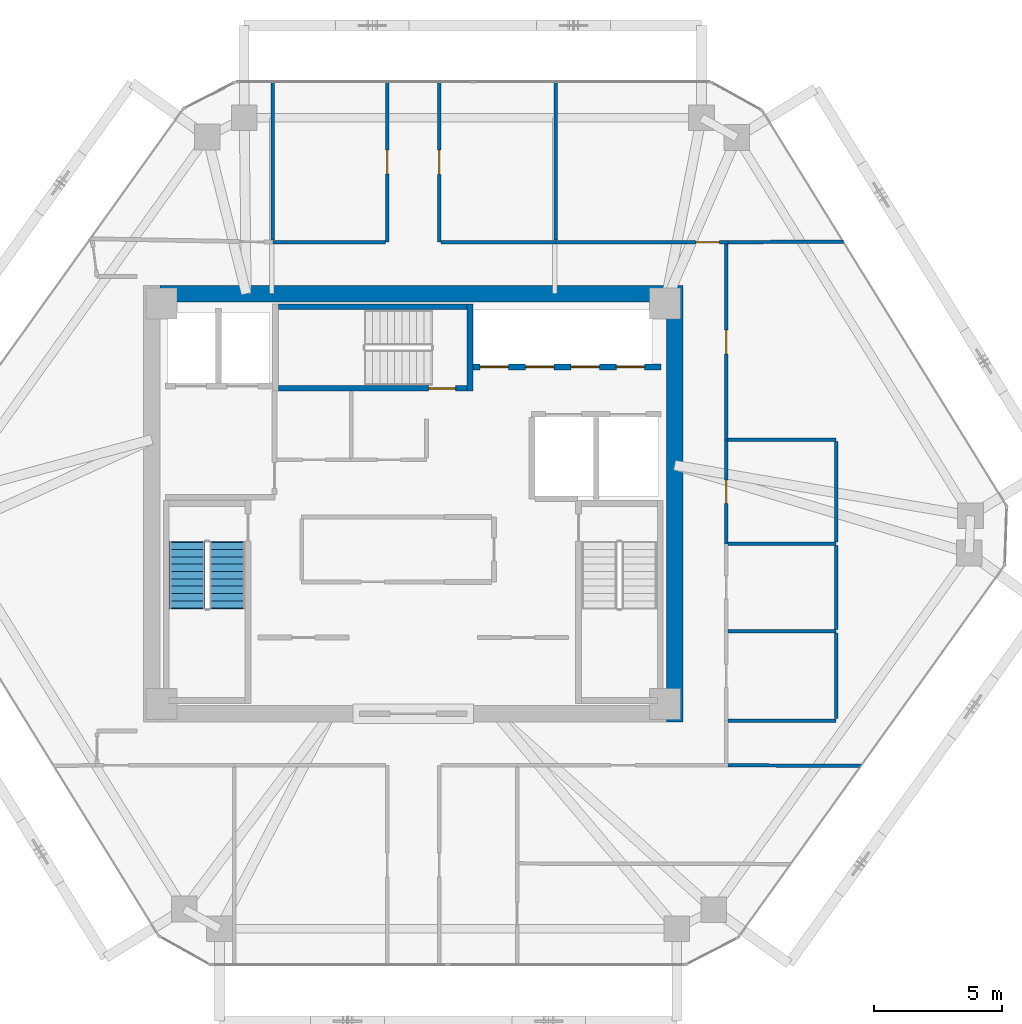
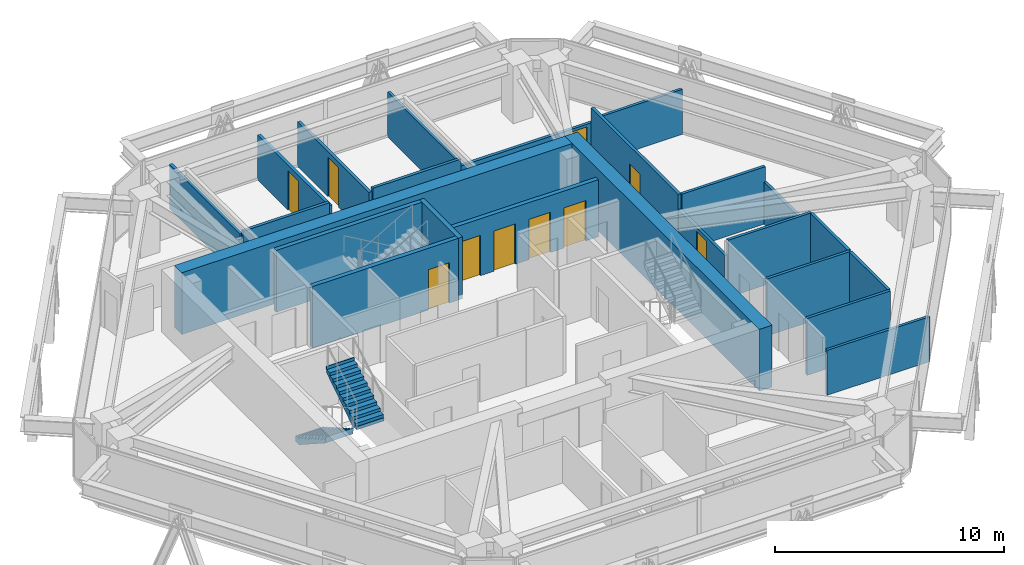
# One storey, part 12 of 14: 24 walls, 10 doors, 2 stair flights, 10 openings, 1 element without a shape of its own.
"""IFC4 building model written with IfcOpenShell, lengths in metres."""

import ifcopenshell
import ifcopenshell.guid

model = None  # the IFC model being written
_history = None  # IfcOwnerHistory: only IFC2X3 demands one
_inside = {}  # id of a spatial element -> (the spatial element, [elements in it])
_under = {}  # id of a project, library or spatial element -> (it, [spatial elements below it])
_declared = {}  # id of a project -> (the project, [libraries it declares])
_typed = {}  # id of a type object -> (the type object, [elements of that type])
_made_of = {}  # id of a material, layer set ... -> (it, [elements and type objects made of it])


def new_model(schema):
    """Start an empty IFC model of exactly this schema.

    Asked for "IFC4X3", IfcOpenShell would pick the latest addendum, in which some entities
    have other attributes; the version numbers below select the first issue.
    IFC2X3 requires an IfcOwnerHistory on every rooted entity: one is made here for all.
    """
    global model, _history
    if schema == "IFC4X3":
        model = ifcopenshell.file(schema_version=(4, 3, 0, 0))
    else:
        model = ifcopenshell.file(schema=schema)
    _inside.clear()
    _under.clear()
    _declared.clear()
    _typed.clear()
    _made_of.clear()
    _history = None
    if model.schema == "IFC2X3":
        org = make("IfcOrganization", Name="unknown")
        user = make(
            "IfcPersonAndOrganization",
            ThePerson=make("IfcPerson", FamilyName="unknown"),
            TheOrganization=org,
        )
        app = make(
            "IfcApplication",
            ApplicationDeveloper=org,
            Version="unknown",
            ApplicationFullName="unknown",
            ApplicationIdentifier="unknown",
        )
        _history = make(
            "IfcOwnerHistory",
            OwningUser=user,
            OwningApplication=app,
            ChangeAction="ADDED",
            CreationDate=0,
        )
    return model


def make(cls, **values):
    """One entity of the class cls with the attributes given. An attribute that is None is left unset."""
    return model.create_entity(
        cls, **{name: value for name, value in values.items() if value is not None}
    )


def rooted(cls, **values):
    """An entity with a GlobalId (a new one), such as an element, a storey or a relation."""
    return make(cls, GlobalId=ifcopenshell.guid.new(), OwnerHistory=_history, **values)


def si_unit(unit_type, name, prefix=None):
    """IfcSIUnit, for example si_unit("LENGTHUNIT", "METRE", prefix="MILLI")."""
    return make("IfcSIUnit", UnitType=unit_type, Prefix=prefix, Name=name)


def assignment(units):
    """IfcUnitAssignment: the units of a project."""
    return None if units is None else make("IfcUnitAssignment", Units=units)


def point(xyz):
    """IfcCartesianPoint."""
    return None if xyz is None else make("IfcCartesianPoint", Coordinates=xyz)


def direction(xyz):
    """IfcDirection."""
    return None if xyz is None else make("IfcDirection", DirectionRatios=xyz)


def frame(location, z_axis=None, x_axis=None):
    """IfcAxis2Placement3D, a coordinate frame: its origin and axes. An axis left out is left unset."""
    return make(
        "IfcAxis2Placement3D",
        Location=point(location),
        Axis=direction(z_axis),
        RefDirection=direction(x_axis),
    )


def frame_2d(location, x_axis=None):
    """IfcAxis2Placement2D, a coordinate frame in the plane: its origin and x axis."""
    return make(
        "IfcAxis2Placement2D", Location=point(location), RefDirection=direction(x_axis)
    )


def origin():
    """The frame at (0, 0, 0) with its axes left unset."""
    return frame((0.0, 0.0, 0.0))


def place(relative_to, where):
    """IfcLocalPlacement: puts the frame where relative to a parent placement (None: the world)."""
    return make(
        "IfcLocalPlacement", PlacementRelTo=relative_to, RelativePlacement=where
    )


def context(
    kind, dimensions, precision=None, world=None, true_north=None, identifier=None
):
    """IfcGeometricRepresentationContext, for example the 3D "Model" context."""
    return make(
        "IfcGeometricRepresentationContext",
        ContextIdentifier=identifier,
        ContextType=kind,
        CoordinateSpaceDimension=dimensions,
        Precision=precision,
        WorldCoordinateSystem=world,
        TrueNorth=true_north,
    )


def subcontext(parent, identifier, kind, view, scale=None):
    """IfcGeometricRepresentationSubContext, for example "Body" below "Model"."""
    return make(
        "IfcGeometricRepresentationSubContext",
        ContextIdentifier=identifier,
        ContextType=kind,
        ParentContext=parent,
        TargetScale=scale,
        TargetView=view,
    )


def project(units=None, contexts=None):
    """IfcProject with its units and contexts."""
    return rooted(
        "IfcProject",
        Name="project",
        RepresentationContexts=contexts,
        UnitsInContext=assignment(units),
    )


def spatial(cls, under=None, at=None, **own):
    """A site, building, storey or space (cls), placed at a placement, below another one or the project."""
    s = rooted(cls, ObjectPlacement=at, **own)
    if under is not None:
        _under.setdefault(under.id(), (under, []))[1].append(s)
    return s


def polyline(points):
    """IfcPolyline through the points."""
    return make("IfcPolyline", Points=[point(p) for p in points])


def profile(cls, at=None, kind="AREA", **sizes):
    """A parametric profile (cls). Its sizes go by their IFC names, for example OverallWidth=200.0."""
    return make(cls, ProfileType=kind, Position=at, **sizes)


def rectangle(**sizes):
    """IfcRectangleProfileDef."""
    return profile("IfcRectangleProfileDef", **sizes)


def outline(outer, holes=None, kind="AREA"):
    """IfcArbitraryClosedProfileDef: a profile drawn as a closed curve; with holes, ...WithVoids."""
    if holes is None:
        return make("IfcArbitraryClosedProfileDef", ProfileType=kind, OuterCurve=outer)
    return make(
        "IfcArbitraryProfileDefWithVoids",
        ProfileType=kind,
        OuterCurve=outer,
        InnerCurves=holes,
    )


def extrude(swept, where, along, depth):
    """IfcExtrudedAreaSolid: the profile swept, set in the frame where, extruded along a direction by depth."""
    return make(
        "IfcExtrudedAreaSolid",
        SweptArea=swept,
        Position=where,
        ExtrudedDirection=direction(along),
        Depth=depth,
    )


def shape(context_of_items, identifier, shape_type, items):
    """IfcShapeRepresentation: the items that make up one representation, for example the "Body"."""
    return make(
        "IfcShapeRepresentation",
        ContextOfItems=context_of_items,
        RepresentationIdentifier=identifier,
        RepresentationType=shape_type,
        Items=items,
    )


def source(mapping_origin, context_of_items, identifier, shape_type, items):
    """IfcRepresentationMap: a shape defined once, which mapped items show again and again."""
    return make(
        "IfcRepresentationMap",
        MappingOrigin=mapping_origin,
        MappedRepresentation=shape(context_of_items, identifier, shape_type, items),
    )


def transform(
    local_origin,
    x_axis=None,
    y_axis=None,
    z_axis=None,
    scale=None,
    scale2=None,
    scale3=None,
    uniform=True,
):
    """IfcCartesianTransformationOperator3D, or its non-uniform kind. x_axis, y_axis, z_axis: its Axis1, 2, 3."""
    if uniform:
        return make(
            "IfcCartesianTransformationOperator3D",
            Axis1=direction(x_axis),
            Axis2=direction(y_axis),
            LocalOrigin=point(local_origin),
            Scale=scale,
            Axis3=direction(z_axis),
        )
    return make(
        "IfcCartesianTransformationOperator3DnonUniform",
        Axis1=direction(x_axis),
        Axis2=direction(y_axis),
        LocalOrigin=point(local_origin),
        Scale=scale,
        Axis3=direction(z_axis),
        Scale2=scale2,
        Scale3=scale3,
    )


def mapped(mapping_source, mapping_target):
    """IfcMappedItem: shows the shape of a source again, moved by a transform."""
    return make(
        "IfcMappedItem", MappingSource=mapping_source, MappingTarget=mapping_target
    )


def material(Name=None, Category=None):
    """IfcMaterial."""
    return make("IfcMaterial", Name=Name, Category=Category)


def layer(
    of_material, thickness, ventilated=None, Name=None, Category=None, Priority=None
):
    """IfcMaterialLayer: one layer of a wall or slab, of a material (None: an air gap)."""
    return make(
        "IfcMaterialLayer",
        Material=of_material,
        LayerThickness=thickness,
        IsVentilated=ventilated,
        Name=Name,
        Category=Category,
        Priority=Priority,
    )


def layer_set(layers, Name=None):
    """IfcMaterialLayerSet."""
    return make("IfcMaterialLayerSet", MaterialLayers=layers, LayerSetName=Name)


def made_of(thing, what):
    """Note that an element or type object is made of a material, layer set ...; save() writes the relation."""
    if what is not None:
        _made_of.setdefault(what.id(), (what, []))[1].append(thing)
    return thing


def type_object(cls, material=None, **own):
    """A type object (cls), such as IfcWallType, which elements share."""
    return made_of(rooted(cls, **own), material)


def type_shapes(of_type, sources):
    """Give a type object the sources (RepresentationMaps) that its elements show as mapped items."""
    of_type.RepresentationMaps = sources


def element(
    cls,
    number,
    at=None,
    inside=None,
    cuts=None,
    type_object=None,
    material=None,
    context=None,
    identifier="Body",
    shape_type=None,
    held_by="IfcProductDefinitionShape",
    body=None,
    shapes=None,
    **own,
):
    """One element of the class cls, such as IfcWall. Its Tag is "e" and its number.

    at: its placement. inside: the storey or other place that contains it. cuts: it is an
    opening in that element (IfcRelVoidsElement). A single representation is given by context,
    identifier, shape_type and body (its items); several are given by shapes. held_by: the class
    of the entity that holds the representations. save() writes the other relations.
    """
    e = rooted(cls, Tag="e%d" % number, ObjectPlacement=at, **own)
    if body is not None:
        shapes = [shape(context, identifier, shape_type, body)]
    if shapes is not None:
        e.Representation = make(held_by, Representations=shapes)
    if inside is not None:
        _inside.setdefault(inside.id(), (inside, []))[1].append(e)
    if cuts is not None:
        rooted(
            "IfcRelVoidsElement", RelatingBuildingElement=cuts, RelatedOpeningElement=e
        )
    if type_object is not None:
        _typed.setdefault(type_object.id(), (type_object, []))[1].append(e)
    return made_of(e, material)


def fill(opening, filler):
    """IfcRelFillsElement: the door or window that sits in an opening."""
    return rooted(
        "IfcRelFillsElement",
        RelatingOpeningElement=opening,
        RelatedBuildingElement=filler,
    )


def aggregate(whole, parts):
    """IfcRelAggregates: a whole, such as a stair, and the parts it consists of."""
    return rooted("IfcRelAggregates", RelatingObject=whole, RelatedObjects=parts)


def save(model, path):
    """Write the relations noted so far, then the file.

    IfcRelAggregates (storeys below a building ...), IfcRelContainedInSpatialStructure (elements
    in a storey), IfcRelDefinesByType, IfcRelAssociatesMaterial and IfcRelDeclares: one each for
    every whole, place, type object, material and project.
    """
    for whole, parts in _under.values():
        aggregate(whole, parts)
    for where, things in _inside.values():
        rooted(
            "IfcRelContainedInSpatialStructure",
            RelatedElements=things,
            RelatingStructure=where,
        )
    for kind, things in _typed.values():
        rooted("IfcRelDefinesByType", RelatedObjects=things, RelatingType=kind)
    for what, things in _made_of.values():
        rooted("IfcRelAssociatesMaterial", RelatedObjects=things, RelatingMaterial=what)
    for by, libraries in _declared.values():
        rooted("IfcRelDeclares", RelatingContext=by, RelatedDefinitions=libraries)
    model.write(path)


model = new_model("IFC4")

# Units and contexts
model_context = context("Model", 3, precision=1e-05, world=origin(), true_north=direction((0.0, 1.0)))
body_context = subcontext(model_context, "Body", "Model", "MODEL_VIEW")
ifc_project = project(units=[si_unit("LENGTHUNIT", "METRE"), si_unit("AREAUNIT", "SQUARE_METRE"), si_unit("VOLUMEUNIT", "CUBIC_METRE"), si_unit("PLANEANGLEUNIT", "RADIAN"), si_unit("MASSUNIT", "GRAM", prefix="KILO")], contexts=[model_context])

# Site, building, storey
site_placement = place(None, origin())
site = spatial("IfcSite", under=ifc_project, at=site_placement, CompositionType="ELEMENT")
building_placement = place(site_placement, origin())
building = spatial("IfcBuilding", under=site, at=building_placement, Name="Durnholm Broadcast Tower", CompositionType="ELEMENT")
storey_placement = place(building_placement, frame((0.0, 0.0, 187.0)))
storey = spatial("IfcBuildingStorey", under=building, at=storey_placement, Name="L51", CompositionType="ELEMENT", Elevation=187.0)

# Walls
ifc_material_1 = material(Name="Concrete C70/85", Category="concrete")
ifc_layer_1 = layer(ifc_material_1, 0.64990234375)
ifc_layer_set_1 = layer_set([ifc_layer_1], Name="Concrete C70/85")
wall_type_1 = type_object("IfcWallType", Name="WALL-CW-650", PredefinedType="SHEAR", material=ifc_layer_set_1)
wall_1_placement = place(storey_placement, frame((10.175048828125, -8.5, 0.0), z_axis=(0.0, 0.0, 1.0), x_axis=(0.0, 1.0, 0.0)))
element("IfcWall", 1, at=wall_1_placement, inside=storey, type_object=wall_type_1, Name="L51 central core shear wall CW-EAST", PredefinedType="SHEAR", context=body_context, shape_type="SweptSolid", body=[
    extrude(rectangle(XDim=17.0, YDim=0.64990234375, at=frame_2d((8.5, 0.0))), origin(), (0.0, 0.0, 1.0), 3.300048828125),
])
wall_2_placement = place(storey_placement, frame((-9.85009765625, 8.175048828125, 0.0), z_axis=(0.0, 0.0, 1.0), x_axis=(1.0, 0.0, 0.0)))
element("IfcWall", 2, at=wall_2_placement, inside=storey, type_object=wall_type_1, Name="L51 central core shear wall CW-N", PredefinedType="SHEAR", context=body_context, shape_type="SweptSolid", body=[
    extrude(rectangle(XDim=19.7001953125, YDim=0.64990234375, at=frame_2d((9.85009765625, 0.0))), origin(), (0.0, 0.0, 1.0), 3.300048828125),
])
ifc_material_2 = material(Name="Gypsum Metal Stud Partition", Category="concrete")
ifc_layer_2 = layer(ifc_material_2, 0.135009765625)
ifc_layer_set_2 = layer_set([ifc_layer_2], Name="Gypsum Metal Stud Partition")
wall_type_2 = type_object("IfcWallType", Name="WALL-PART-135", PredefinedType="PARTITIONING", material=ifc_layer_set_2)
for number, where, z_axis, x_axis, name in (
    (3, (-5.4599609375, 16.41796875, 0.0), (0.0, 0.0, 1.0), (0.0, -1.0, 0.0), "L51 room dividing partition 10.11"),
    (4, (5.5400390625, 16.41796875, 0.0), (0.0, 0.0, 1.0), (0.0, -1.0, 0.0), "L51 room dividing partition 12.13"),
):
    element("IfcWall", number, at=place(storey_placement, frame(where, z_axis=z_axis, x_axis=x_axis)), inside=storey, type_object=wall_type_2, Name=name, PredefinedType="PARTITIONING", context=body_context, shape_type="SweptSolid", body=[
        extrude(rectangle(XDim=6.158935546875, YDim=0.135009765625, at=frame_2d((3.07958984375, 0.0))), origin(), (0.0, 0.0, 1.0), 2.398681640625),
    ])
wall_3_placement = place(storey_placement, frame((16.739990234375, 10.200927734375, 0.0), z_axis=(0.0, 0.0, 1.0), x_axis=(-0.999989522694, -0.004577608714, 0.0)))
element("IfcWall", 5, at=wall_3_placement, inside=storey, type_object=wall_type_2, Name="L51 room dividing partition 13.21", PredefinedType="PARTITIONING", context=body_context, shape_type="SweptSolid", body=[
    extrude(rectangle(XDim=4.47998046875, YDim=0.135009765625, at=frame_2d((2.239990234375, 0.0))), origin(), (0.0, 0.0, 1.0), 2.398681640625),
])
wall_4_placement = place(storey_placement, frame((12.260009765625, -10.180419921875, 0.0), z_axis=(0.0, 0.0, 1.0), x_axis=(0.999990144117, -0.004439782427, 0.0)))
element("IfcWall", 6, at=wall_4_placement, inside=storey, type_object=wall_type_2, Name="L51 room dividing partition 18.21", PredefinedType="PARTITIONING", context=body_context, shape_type="SweptSolid", body=[
    extrude(rectangle(XDim=5.1689453125, YDim=0.135009765625, at=frame_2d((2.58447265625, 0.0))), origin(), (0.0, 0.0, 1.0), 2.398681640625),
])

# Wall, opening, door
ifc_material_3 = material(Name="Acoustic Gypsum Stud Partition", Category="concrete")
ifc_layer_3 = layer(ifc_material_3, 0.14990234375)
ifc_layer_set_3 = layer_set([ifc_layer_3], Name="Acoustic Gypsum Stud Partition")
wall_type_3 = type_object("IfcWallType", Name="WALL-PART-150", PredefinedType="PARTITIONING", material=ifc_layer_set_3)
wall_5_placement = place(storey_placement, frame((-1.010009765625, 16.41796875, 0.0), z_axis=(0.0, 0.0, 1.0), x_axis=(0.0, -1.0, 0.0)))
wall_5 = element("IfcWall", 7, at=wall_5_placement, inside=storey, type_object=wall_type_3, Name="L51 Subscriber Viewing Lounge 2 corridor partition", PredefinedType="PARTITIONING", context=body_context, shape_type="SweptSolid", body=[
    extrude(rectangle(XDim=6.238037109375, YDim=0.14990234375, at=frame_2d((3.119140625, 0.0))), origin(), (0.0, 0.0, 1.0), 2.398681640625),
])
opening_1_placement = place(wall_5_placement, frame((2.658935546875, 0.0, 0.0)))
opening_1 = element("IfcOpeningElement", 8, at=opening_1_placement, cuts=wall_5, Name="Opening DR-92R", PredefinedType="OPENING", context=body_context, shape_type="SweptSolid", body=[
    extrude(rectangle(XDim=0.919921875, YDim=2.10009765625, at=frame_2d((0.4599609375, 1.050048828125))), frame((0.0, 0.0849609375, 0.0), z_axis=(0.0, -1.0, 0.0), x_axis=(1.0, 0.0, 0.0)), (0.0, 0.0, 1.0), 0.169921875),
])
ifc_material_4 = material(Name="Oak Veneer Office Door", Category="wood")
ifc_layer_4 = layer(ifc_material_4, 0.050048828125)
ifc_layer_set_4 = layer_set([ifc_layer_4], Name="Oak Veneer Office Door")
door_type_1 = type_object("IfcDoorType", Name="DOOR-RM-920R", OperationType="NOTDEFINED", PredefinedType="DOOR", material=ifc_layer_set_4)
shared_shape_1 = source(origin(), body_context, "Body", "SweptSolid", [
    extrude(rectangle(XDim=0.919921875, YDim=2.10009765625, at=frame_2d((0.4599609375, 1.050048828125))), frame((0.0, 0.02490234375, 0.0), z_axis=(0.0, -1.0, 0.0), x_axis=(1.0, 0.0, 0.0)), (0.0, 0.0, 1.0), 0.050048828125),
])
type_shapes(door_type_1, [shared_shape_1])
door_1_placement = place(opening_1_placement, origin())
door_1 = element("IfcDoor", 9, at=door_1_placement, inside=storey, type_object=door_type_1, Name="L51 Subscriber Viewing Lounge 2 entrance door", OperationType="SINGLE_SWING_RIGHT", OverallHeight=2.10009765625, OverallWidth=0.919921875, PredefinedType="DOOR", context=body_context, shape_type="MappedRepresentation", body=[
    mapped(shared_shape_1, transform((0.0, 0.0, 0.0), x_axis=(1.0, 0.0, 0.0), y_axis=(0.0, 1.0, 0.0), z_axis=(0.0, 0.0, 1.0), scale=1.0)),
])
fill(opening_1, door_1)

# Wall
wall_6_placement = place(storey_placement, frame((-1.089111328125, 10.179931640625, 0.0), z_axis=(0.0, 0.0, 1.0), x_axis=(-1.0, 0.0, 0.0)))
element("IfcWall", 10, at=wall_6_placement, inside=storey, type_object=wall_type_3, Name="L51 Subscriber Viewing Lounge 2 corridor partition", PredefinedType="PARTITIONING", context=body_context, shape_type="SweptSolid", body=[
    extrude(rectangle(XDim=4.370849609375, YDim=0.14990234375, at=frame_2d((2.185546875, 0.0))), origin(), (0.0, 0.0, 1.0), 2.6083984375),
])

# Wall, opening, door
wall_7_placement = place(storey_placement, frame((1.010009765625, 10.179931640625, 0.0), z_axis=(0.0, 0.0, 1.0), x_axis=(0.0, 1.0, 0.0)))
wall_7 = element("IfcWall", 11, at=wall_7_placement, inside=storey, type_object=wall_type_3, Name="L51 Subscriber Viewing Lounge 3 corridor partition", PredefinedType="PARTITIONING", context=body_context, shape_type="SweptSolid", body=[
    extrude(rectangle(XDim=6.238037109375, YDim=0.14990234375, at=frame_2d((3.119140625, 0.0))), origin(), (0.0, 0.0, 1.0), 2.398681640625),
])
opening_2_placement = place(wall_7_placement, frame((2.64404296875, 0.0, 0.0)))
opening_2 = element("IfcOpeningElement", 12, at=opening_2_placement, cuts=wall_7, Name="Opening DR-95L", PredefinedType="OPENING", context=body_context, shape_type="SweptSolid", body=[
    extrude(rectangle(XDim=0.949951171875, YDim=2.10009765625, at=frame_2d((0.47509765625, 1.050048828125))), frame((0.0, 0.0849609375, 0.0), z_axis=(0.0, -1.0, 0.0), x_axis=(1.0, 0.0, 0.0)), (0.0, 0.0, 1.0), 0.169921875),
])
ifc_material_5 = material(Name="Acoustic Oak Veneer Timber Door", Category="wood")
ifc_layer_5 = layer(ifc_material_5, 0.050048828125)
ifc_layer_set_5 = layer_set([ifc_layer_5], Name="Acoustic Oak Veneer Timber Door")
door_type_2 = type_object("IfcDoorType", Name="DOOR-RM-950L", OperationType="NOTDEFINED", PredefinedType="DOOR", material=ifc_layer_set_5)
shared_shape_2 = source(origin(), body_context, "Body", "SweptSolid", [
    extrude(rectangle(XDim=0.949951171875, YDim=2.10009765625, at=frame_2d((0.47509765625, 1.050048828125))), frame((0.0, 0.02490234375, 0.0), z_axis=(0.0, -1.0, 0.0), x_axis=(1.0, 0.0, 0.0)), (0.0, 0.0, 1.0), 0.050048828125),
])
type_shapes(door_type_2, [shared_shape_2])
door_2_placement = place(opening_2_placement, origin())
door_2 = element("IfcDoor", 13, at=door_2_placement, inside=storey, type_object=door_type_2, Name="L51 Subscriber Viewing Lounge 3 entrance door", OperationType="SINGLE_SWING_LEFT", OverallHeight=2.10009765625, OverallWidth=0.949951171875, PredefinedType="DOOR", context=body_context, shape_type="MappedRepresentation", body=[
    mapped(shared_shape_2, transform((0.0, 0.0, 0.0), x_axis=(1.0, 0.0, 0.0), y_axis=(0.0, 1.0, 0.0), z_axis=(0.0, 0.0, 1.0), scale=1.0)),
])
fill(opening_2, door_2)

# Wall
wall_8_placement = place(storey_placement, frame((5.5400390625, 10.179931640625, 0.0), z_axis=(0.0, 0.0, 1.0), x_axis=(-1.0, 0.0, 0.0)))
element("IfcWall", 14, at=wall_8_placement, inside=storey, type_object=wall_type_3, Name="L51 Subscriber Viewing Lounge 3 corridor partition", PredefinedType="PARTITIONING", context=body_context, shape_type="SweptSolid", body=[
    extrude(rectangle(XDim=4.450927734375, YDim=0.14990234375, at=frame_2d((2.2255859375, 0.0))), origin(), (0.0, 0.0, 1.0), 2.6083984375),
])

# Wall, opening, door
wall_9_placement = place(storey_placement, frame((12.260009765625, 10.179931640625, 0.0), z_axis=(0.0, 0.0, 1.0), x_axis=(-1.0, 0.0, 0.0)))
wall_9 = element("IfcWall", 15, at=wall_9_placement, inside=storey, type_object=wall_type_3, Name="L51 Open Plan Broadcast Workspace 5 corridor partition", PredefinedType="PARTITIONING", context=body_context, shape_type="SweptSolid", body=[
    extrude(rectangle(XDim=6.719970703125, YDim=0.14990234375, at=frame_2d((3.35986328125, 0.0))), origin(), (0.0, 0.0, 1.0), 2.24169921875),
])
opening_3_placement = place(wall_9_placement, frame((0.35009765625, 0.0, 0.0)))
opening_3 = element("IfcOpeningElement", 16, at=opening_3_placement, cuts=wall_9, Name="Opening DR-92R", PredefinedType="OPENING", context=body_context, shape_type="SweptSolid", body=[
    extrude(rectangle(XDim=0.919921875, YDim=2.10009765625, at=frame_2d((0.4599609375, 1.050048828125))), frame((0.0, 0.0849609375, 0.0), z_axis=(0.0, -1.0, 0.0), x_axis=(1.0, 0.0, 0.0)), (0.0, 0.0, 1.0), 0.169921875),
])
door_3_placement = place(opening_3_placement, origin())
door_3 = element("IfcDoor", 17, at=door_3_placement, inside=storey, type_object=door_type_1, Name="L51 Open Plan Broadcast Workspace 5 entrance door", OperationType="SINGLE_SWING_RIGHT", OverallHeight=2.10009765625, OverallWidth=0.919921875, PredefinedType="DOOR", context=body_context, shape_type="MappedRepresentation", body=[
    mapped(shared_shape_1, transform((0.0, 0.0, 0.0), x_axis=(1.0, 0.0, 0.0), y_axis=(0.0, 1.0, 0.0), z_axis=(0.0, 0.0, 1.0), scale=1.0)),
])
fill(opening_3, door_3)

wall_10_placement = place(storey_placement, frame((12.179931640625, 2.489990234375, 0.0), z_axis=(0.0, 0.0, 1.0), x_axis=(0.0, 1.0, 0.0)))
wall_10 = element("IfcWall", 18, at=wall_10_placement, inside=storey, type_object=wall_type_3, Name="L51 Open Plan Broadcast Workspace 1 corridor partition", PredefinedType="PARTITIONING", context=body_context, shape_type="SweptSolid", body=[
    extrude(rectangle(XDim=7.611083984375, YDim=0.14990234375, at=frame_2d((3.8056640625, 0.0))), origin(), (0.0, 0.0, 1.0), 3.044921875),
])
opening_4_placement = place(wall_10_placement, frame((3.345458984375, 0.0, 0.0)))
opening_4 = element("IfcOpeningElement", 19, at=opening_4_placement, cuts=wall_10, Name="Opening DR-92L", PredefinedType="OPENING", context=body_context, shape_type="SweptSolid", body=[
    extrude(rectangle(XDim=0.919921875, YDim=2.10009765625, at=frame_2d((0.4599609375, 1.050048828125))), frame((0.0, 0.0849609375, 0.0), z_axis=(0.0, -1.0, 0.0), x_axis=(1.0, 0.0, 0.0)), (0.0, 0.0, 1.0), 0.169921875),
])
ifc_layer_6 = layer(ifc_material_4, 0.050048828125)
ifc_layer_set_6 = layer_set([ifc_layer_6], Name="Oak Veneer Office Door")
door_type_3 = type_object("IfcDoorType", Name="DOOR-RM-920L", OperationType="NOTDEFINED", PredefinedType="DOOR", material=ifc_layer_set_6)
shared_shape_3 = source(origin(), body_context, "Body", "SweptSolid", [
    extrude(rectangle(XDim=0.919921875, YDim=2.10009765625, at=frame_2d((0.4599609375, 1.050048828125))), frame((0.0, 0.02490234375, 0.0), z_axis=(0.0, -1.0, 0.0), x_axis=(1.0, 0.0, 0.0)), (0.0, 0.0, 1.0), 0.050048828125),
])
type_shapes(door_type_3, [shared_shape_3])
door_4_placement = place(opening_4_placement, origin())
door_4 = element("IfcDoor", 20, at=door_4_placement, inside=storey, type_object=door_type_3, Name="L51 Open Plan Broadcast Workspace 1 entrance door", OperationType="SINGLE_SWING_LEFT", OverallHeight=2.10009765625, OverallWidth=0.919921875, PredefinedType="DOOR", context=body_context, shape_type="MappedRepresentation", body=[
    mapped(shared_shape_3, transform((0.0, 0.0, 0.0), x_axis=(1.0, 0.0, 0.0), y_axis=(0.0, 1.0, 0.0), z_axis=(0.0, 0.0, 1.0), scale=1.0)),
])
fill(opening_4, door_4)

# Wall, openings, doors
ifc_material_6 = material(Name="Concrete Blockwork C30/37", Category="masonry")
ifc_layer_7 = layer(ifc_material_6, 0.219970703125)
ifc_layer_set_7 = layer_set([ifc_layer_7], Name="Concrete Blockwork C30/37")
wall_type_4 = type_object("IfcWallType", Name="WALL-SHAFT-220", PredefinedType="SOLIDWALL", material=ifc_layer_set_7)
wall_11_placement = place(storey_placement, frame((2.324951171875, 5.320068359375, 0.0), z_axis=(0.0, 0.0, 1.0), x_axis=(1.0, 0.0, 0.0)))
wall_11 = element("IfcWall", 21, at=wall_11_placement, inside=storey, type_object=wall_type_4, Name="L51 high-rise bank P3 south front wall", PredefinedType="SOLIDWALL", context=body_context, shape_type="SweptSolid", body=[
    extrude(rectangle(XDim=7.324951171875, YDim=0.219970703125, at=frame_2d((3.66259765625, 0.0))), origin(), (0.0, 0.0, 1.0), 3.044921875),
])
opening_5_placement = place(wall_11_placement, frame((0.27490234375, 0.0, 0.0)))
opening_5 = element("IfcOpeningElement", 22, at=opening_5_placement, cuts=wall_11, Name="Opening LD-LP3-1", PredefinedType="OPENING", context=body_context, shape_type="SweptSolid", body=[
    extrude(rectangle(XDim=1.10009765625, YDim=2.14990234375, at=frame_2d((0.550048828125, 1.074951171875))), frame((0.0, 0.1201171875, 0.0), z_axis=(0.0, -1.0, 0.0), x_axis=(1.0, 0.0, 0.0)), (0.0, 0.0, 1.0), 0.239990234375),
])
opening_6_placement = place(wall_11_placement, frame((2.044921875, 0.0, 0.0)))
opening_6 = element("IfcOpeningElement", 23, at=opening_6_placement, cuts=wall_11, Name="Opening LD-LP3-2", PredefinedType="OPENING", context=body_context, shape_type="SweptSolid", body=[
    extrude(rectangle(XDim=1.10009765625, YDim=2.14990234375, at=frame_2d((0.550048828125, 1.074951171875))), frame((0.0, 0.1201171875, 0.0), z_axis=(0.0, -1.0, 0.0), x_axis=(1.0, 0.0, 0.0)), (0.0, 0.0, 1.0), 0.239990234375),
])
opening_7_placement = place(wall_11_placement, frame((3.81494140625, 0.0, 0.0)))
opening_7 = element("IfcOpeningElement", 24, at=opening_7_placement, cuts=wall_11, Name="Opening LD-LP3-3", PredefinedType="OPENING", context=body_context, shape_type="SweptSolid", body=[
    extrude(rectangle(XDim=1.10009765625, YDim=2.14990234375, at=frame_2d((0.550048828125, 1.074951171875))), frame((0.0, 0.1201171875, 0.0), z_axis=(0.0, -1.0, 0.0), x_axis=(1.0, 0.0, 0.0)), (0.0, 0.0, 1.0), 0.239990234375),
])
opening_8_placement = place(wall_11_placement, frame((5.5849609375, 0.0, 0.0)))
opening_8 = element("IfcOpeningElement", 25, at=opening_8_placement, cuts=wall_11, Name="Opening LD-LP3-4", PredefinedType="OPENING", context=body_context, shape_type="SweptSolid", body=[
    extrude(rectangle(XDim=1.10009765625, YDim=2.14990234375, at=frame_2d((0.550048828125, 1.074951171875))), frame((0.0, 0.1201171875, 0.0), z_axis=(0.0, -1.0, 0.0), x_axis=(1.0, 0.0, 0.0)), (0.0, 0.0, 1.0), 0.239990234375),
])
ifc_material_7 = material(Name="Stainless Steel Sliding Elevator Landing Door", Category="steel")
ifc_layer_8 = layer(ifc_material_7, 0.050048828125)
ifc_layer_set_8 = layer_set([ifc_layer_8], Name="Stainless Steel Sliding Elevator Landing Door")
door_type_4 = type_object("IfcDoorType", Name="DOOR-LIFT-PAX", OperationType="DOUBLE_DOOR_SLIDING", PredefinedType="DOOR", material=ifc_layer_set_8)
shared_shape_4 = source(origin(), body_context, "Body", "SweptSolid", [
    extrude(rectangle(XDim=1.10009765625, YDim=2.14990234375, at=frame_2d((0.550048828125, 1.074951171875))), frame((0.0, 0.02490234375, 0.0), z_axis=(0.0, -1.0, 0.0), x_axis=(1.0, 0.0, 0.0)), (0.0, 0.0, 1.0), 0.050048828125),
])
type_shapes(door_type_4, [shared_shape_4])
door_5_placement = place(opening_5_placement, origin())
door_5 = element("IfcDoor", 26, at=door_5_placement, inside=storey, type_object=door_type_4, Name="L51 high-rise elevator LP3-1 sliding landing door", OperationType="DOUBLE_DOOR_SLIDING", OverallHeight=2.14990234375, OverallWidth=1.10009765625, PredefinedType="DOOR", context=body_context, shape_type="MappedRepresentation", body=[
    mapped(shared_shape_4, transform((0.0, 0.0, 0.0), x_axis=(1.0, 0.0, 0.0), y_axis=(0.0, 1.0, 0.0), z_axis=(0.0, 0.0, 1.0), scale=1.0)),
])
fill(opening_5, door_5)
door_6_placement = place(opening_6_placement, origin())
door_6 = element("IfcDoor", 27, at=door_6_placement, inside=storey, type_object=door_type_4, Name="L51 high-rise elevator LP3-2 sliding landing door", OperationType="DOUBLE_DOOR_SLIDING", OverallHeight=2.14990234375, OverallWidth=1.10009765625, PredefinedType="DOOR", context=body_context, shape_type="MappedRepresentation", body=[
    mapped(shared_shape_4, transform((0.0, 0.0, 0.0), x_axis=(1.0, 0.0, 0.0), y_axis=(0.0, 1.0, 0.0), z_axis=(0.0, 0.0, 1.0), scale=1.0)),
])
fill(opening_6, door_6)
door_7_placement = place(opening_7_placement, origin())
door_7 = element("IfcDoor", 28, at=door_7_placement, inside=storey, type_object=door_type_4, Name="L51 high-rise elevator LP3-3 sliding landing door", OperationType="DOUBLE_DOOR_SLIDING", OverallHeight=2.14990234375, OverallWidth=1.10009765625, PredefinedType="DOOR", context=body_context, shape_type="MappedRepresentation", body=[
    mapped(shared_shape_4, transform((0.0, 0.0, 0.0), x_axis=(1.0, 0.0, 0.0), y_axis=(0.0, 1.0, 0.0), z_axis=(0.0, 0.0, 1.0), scale=1.0)),
])
fill(opening_7, door_7)
door_8_placement = place(opening_8_placement, origin())
door_8 = element("IfcDoor", 29, at=door_8_placement, inside=storey, type_object=door_type_4, Name="L51 high-rise elevator LP3-4 sliding landing door", OperationType="DOUBLE_DOOR_SLIDING", OverallHeight=2.14990234375, OverallWidth=1.10009765625, PredefinedType="DOOR", context=body_context, shape_type="MappedRepresentation", body=[
    mapped(shared_shape_4, transform((0.0, 0.0, 0.0), x_axis=(1.0, 0.0, 0.0), y_axis=(0.0, 1.0, 0.0), z_axis=(0.0, 0.0, 1.0), scale=1.0)),
])
fill(opening_8, door_8)

# Wall
ifc_material_8 = material(Name="Concrete C50/60", Category="concrete")
ifc_layer_9 = layer(ifc_material_8, 0.219970703125)
ifc_layer_set_9 = layer_set([ifc_layer_9], Name="Concrete C50/60")
wall_type_5 = type_object("IfcWallType", Name="WALL-SW-220", PredefinedType="SHEAR", material=ifc_layer_set_9)
wall_12_placement = place(storey_placement, frame((2.2099609375, 4.3798828125, -0.239990234375), z_axis=(0.0, 0.0, 1.0), x_axis=(0.0, 1.0, 0.0)))
element("IfcWall", 30, at=wall_12_placement, inside=storey, type_object=wall_type_5, Name="L51 stair ST-3 structural shaft wall E", PredefinedType="SHEAR", context=body_context, shape_type="SweptSolid", body=[
    extrude(rectangle(XDim=3.400146484375, YDim=0.219970703125, at=frame_2d((1.7001953125, 0.0))), origin(), (0.0, 0.0, 1.0), 3.300048828125),
])

# Wall, opening, door
wall_13_placement = place(storey_placement, frame((-5.25, 4.489990234375, -0.239990234375), z_axis=(0.0, 0.0, 1.0), x_axis=(1.0, 0.0, 0.0)))
wall_13 = element("IfcWall", 31, at=wall_13_placement, inside=storey, type_object=wall_type_5, Name="L51 stair ST-3 structural shaft wall S", PredefinedType="SHEAR", context=body_context, shape_type="SweptSolid", body=[
    extrude(rectangle(XDim=7.35009765625, YDim=0.219970703125, at=frame_2d((3.675048828125, 0.0))), origin(), (0.0, 0.0, 1.0), 3.300048828125),
])
opening_9_placement = place(wall_13_placement, frame((5.85009765625, 0.0, 0.0)))
opening_9 = element("IfcOpeningElement", 32, at=opening_9_placement, cuts=wall_13, Name="Opening DS-90L", PredefinedType="OPENING", context=body_context, shape_type="SweptSolid", body=[
    extrude(rectangle(XDim=1.050048828125, YDim=2.14990234375, at=frame_2d((0.52490234375, 1.074951171875))), frame((0.0, 0.1201171875, 0.0), z_axis=(0.0, -1.0, 0.0), x_axis=(1.0, 0.0, 0.0)), (0.0, 0.0, 1.0), 0.239990234375),
])
ifc_material_9 = material(Name="Fire-Rated Steel Door", Category="steel")
ifc_layer_10 = layer(ifc_material_9, 0.050048828125)
ifc_layer_set_10 = layer_set([ifc_layer_10], Name="Fire-Rated Steel Door")
door_type_5 = type_object("IfcDoorType", Name="DOOR-ST-FD90-L", OperationType="NOTDEFINED", PredefinedType="DOOR", material=ifc_layer_set_10)
shared_shape_5 = source(origin(), body_context, "Body", "SweptSolid", [
    extrude(rectangle(XDim=1.050048828125, YDim=2.14990234375, at=frame_2d((0.52490234375, 1.074951171875))), frame((0.0, 0.02490234375, 0.0), z_axis=(0.0, -1.0, 0.0), x_axis=(1.0, 0.0, 0.0)), (0.0, 0.0, 1.0), 0.050048828125),
])
type_shapes(door_type_5, [shared_shape_5])
door_9_placement = place(opening_9_placement, origin())
door_9 = element("IfcDoor", 33, at=door_9_placement, inside=storey, type_object=door_type_5, Name="L51 exit stair ST-3 fire door", OperationType="SINGLE_SWING_LEFT", OverallHeight=2.14990234375, OverallWidth=1.050048828125, PredefinedType="DOOR", context=body_context, shape_type="MappedRepresentation", body=[
    mapped(shared_shape_5, transform((0.0, 0.0, 0.0), x_axis=(1.0, 0.0, 0.0), y_axis=(0.0, 1.0, 0.0), z_axis=(0.0, 0.0, 1.0), scale=1.0)),
])
fill(opening_9, door_9)

# Wall
wall_14_placement = place(storey_placement, frame((2.10009765625, 7.669921875, -0.239990234375), z_axis=(0.0, 0.0, 1.0), x_axis=(-1.0, 0.0, 0.0)))
element("IfcWall", 34, at=wall_14_placement, inside=storey, type_object=wall_type_5, Name="L51 stair ST-3 structural shaft wall N", PredefinedType="SHEAR", context=body_context, shape_type="SweptSolid", body=[
    extrude(rectangle(XDim=7.35009765625, YDim=0.219970703125, at=frame_2d((3.675048828125, 0.0))), origin(), (0.0, 0.0, 1.0), 3.300048828125),
])

# Wall, opening, door
ifc_material_10 = material(Name="Moisture-Resistant Tile Partition", Category="concrete")
ifc_layer_11 = layer(ifc_material_10, 0.139892578125)
ifc_layer_set_11 = layer_set([ifc_layer_11], Name="Moisture-Resistant Tile Partition")
wall_type_6 = type_object("IfcWallType", Name="WALL-WC-140", PredefinedType="PARTITIONING", material=ifc_layer_set_11)
wall_15_placement = place(storey_placement, frame((12.179931640625, -1.56005859375, 0.0), z_axis=(0.0, 0.0, 1.0), x_axis=(0.0, 1.0, 0.0)))
wall_15 = element("IfcWall", 35, at=wall_15_placement, inside=storey, type_object=wall_type_6, Name="L51 Accessible Restroom corridor partition", PredefinedType="PARTITIONING", context=body_context, shape_type="SweptSolid", body=[
    extrude(rectangle(XDim=4.050048828125, YDim=0.139892578125, at=frame_2d((2.02490234375, 0.0))), origin(), (0.0, 0.0, 1.0), 2.24169921875),
])
opening_10_placement = place(wall_15_placement, frame((1.574951171875, 0.0, 0.0)))
opening_10 = element("IfcOpeningElement", 36, at=opening_10_placement, cuts=wall_15, Name="Opening DW-90R", PredefinedType="OPENING", context=body_context, shape_type="SweptSolid", body=[
    extrude(rectangle(XDim=0.89990234375, YDim=2.050048828125, at=frame_2d((0.449951171875, 1.02490234375))), frame((0.0, 0.080078125, 0.0), z_axis=(0.0, -1.0, 0.0), x_axis=(1.0, 0.0, 0.0)), (0.0, 0.0, 1.0), 0.159912109375),
])
ifc_material_11 = material(Name="Laminate Restroom Door", Category="steel")
ifc_layer_12 = layer(ifc_material_11, 0.050048828125)
ifc_layer_set_12 = layer_set([ifc_layer_12], Name="Laminate Restroom Door")
door_type_6 = type_object("IfcDoorType", Name="DOOR-WC-900R", OperationType="NOTDEFINED", PredefinedType="DOOR", material=ifc_layer_set_12)
shared_shape_6 = source(origin(), body_context, "Body", "SweptSolid", [
    extrude(rectangle(XDim=0.89990234375, YDim=2.050048828125, at=frame_2d((0.449951171875, 1.02490234375))), frame((0.0, 0.02490234375, 0.0), z_axis=(0.0, -1.0, 0.0), x_axis=(1.0, 0.0, 0.0)), (0.0, 0.0, 1.0), 0.050048828125),
])
type_shapes(door_type_6, [shared_shape_6])
door_10_placement = place(opening_10_placement, origin())
door_10 = element("IfcDoor", 37, at=door_10_placement, inside=storey, type_object=door_type_6, Name="L51 Accessible Restroom entrance door", OperationType="SINGLE_SWING_RIGHT", OverallHeight=2.050048828125, OverallWidth=0.89990234375, PredefinedType="DOOR", context=body_context, shape_type="MappedRepresentation", body=[
    mapped(shared_shape_6, transform((0.0, 0.0, 0.0), x_axis=(1.0, 0.0, 0.0), y_axis=(0.0, 1.0, 0.0), z_axis=(0.0, 0.0, 1.0), scale=1.0)),
])
fill(opening_10, door_10)

# Walls
wall_16_placement = place(storey_placement, frame((12.25390625, -4.9599609375, 0.0), z_axis=(0.0, 0.0, 1.0), x_axis=(1.0, 0.0, 0.0)))
element("IfcWall", 38, at=wall_16_placement, inside=storey, type_object=wall_type_6, Name="L51 room dividing partition 7.8", PredefinedType="PARTITIONING", context=body_context, shape_type="SweptSolid", body=[
    extrude(rectangle(XDim=4.2060546875, YDim=0.139892578125, at=frame_2d((2.10302734375, 0.0))), origin(), (0.0, 0.0, 1.0), 3.044921875),
])
wall_17_placement = place(storey_placement, frame((16.4599609375, -8.43994140625, 0.0), z_axis=(0.0, 0.0, 1.0), x_axis=(-1.0, 0.0, 0.0)))
element("IfcWall", 39, at=wall_17_placement, inside=storey, type_object=wall_type_6, Name="L51 room dividing partition 7.21", PredefinedType="PARTITIONING", context=body_context, shape_type="SweptSolid", body=[
    extrude(rectangle(XDim=4.200927734375, YDim=0.139892578125, at=frame_2d((2.1005859375, 0.0))), origin(), (0.0, 0.0, 1.0), 3.044921875),
])
wall_18_placement = place(storey_placement, frame((16.4599609375, -5.033935546875, 0.0), z_axis=(0.0, 0.0, 1.0), x_axis=(0.0, -1.0, 0.0)))
element("IfcWall", 40, at=wall_18_placement, inside=storey, type_object=wall_type_6, Name="L51 room dividing partition 7.21", PredefinedType="PARTITIONING", context=body_context, shape_type="SweptSolid", body=[
    extrude(rectangle(XDim=3.33203125, YDim=0.139892578125, at=frame_2d((1.666015625, 0.0))), origin(), (0.0, 0.0, 1.0), 3.044921875),
])
wall_19_placement = place(storey_placement, frame((12.25390625, -1.56005859375, 0.0), z_axis=(0.0, 0.0, 1.0), x_axis=(1.0, 0.0, 0.0)))
element("IfcWall", 41, at=wall_19_placement, inside=storey, type_object=wall_type_6, Name="L51 room dividing partition 8.9", PredefinedType="PARTITIONING", context=body_context, shape_type="SweptSolid", body=[
    extrude(rectangle(XDim=4.2060546875, YDim=0.139892578125, at=frame_2d((2.10302734375, 0.0))), origin(), (0.0, 0.0, 1.0), 3.044921875),
])
wall_20_placement = place(storey_placement, frame((16.4599609375, -1.634033203125, 0.0), z_axis=(0.0, 0.0, 1.0), x_axis=(0.0, -1.0, 0.0)))
element("IfcWall", 42, at=wall_20_placement, inside=storey, type_object=wall_type_6, Name="L51 room dividing partition 8.21", PredefinedType="PARTITIONING", context=body_context, shape_type="SweptSolid", body=[
    extrude(rectangle(XDim=3.251953125, YDim=0.139892578125, at=frame_2d((1.6259765625, 0.0))), origin(), (0.0, 0.0, 1.0), 3.044921875),
])
wall_21_placement = place(storey_placement, frame((12.259033203125, 2.489990234375, 0.0), z_axis=(0.0, 0.0, 1.0), x_axis=(1.0, 0.0, 0.0)))
element("IfcWall", 43, at=wall_21_placement, inside=storey, type_object=wall_type_6, Name="L51 room dividing partition 9.21", PredefinedType="PARTITIONING", context=body_context, shape_type="SweptSolid", body=[
    extrude(rectangle(XDim=4.200927734375, YDim=0.139892578125, at=frame_2d((2.1005859375, 0.0))), origin(), (0.0, 0.0, 1.0), 3.044921875),
])
wall_22_placement = place(storey_placement, frame((16.4599609375, 2.416015625, 0.0), z_axis=(0.0, 0.0, 1.0), x_axis=(0.0, -1.0, 0.0)))
element("IfcWall", 44, at=wall_22_placement, inside=storey, type_object=wall_type_6, Name="L51 room dividing partition 9.21", PredefinedType="PARTITIONING", context=body_context, shape_type="SweptSolid", body=[
    extrude(rectangle(XDim=3.902099609375, YDim=0.139892578125, at=frame_2d((1.951171875, 0.0))), origin(), (0.0, 0.0, 1.0), 2.24169921875),
])

# Stair, stair flights
stair_type = type_object("IfcStairType", Name="STAIR-DL-20R1650", PredefinedType="HALF_TURN_STAIR", material=ifc_material_8)
stair_placement = place(storey_placement, origin())
stair = element("IfcStair", 45, at=stair_placement, inside=storey, type_object=stair_type, Name="L51 ST-1", PredefinedType="HALF_TURN_STAIR")
stair_flight_type = type_object("IfcStairFlightType", Name="FLIGHT-DL-20R1650", PredefinedType="STRAIGHT", material=ifc_material_8)
stair_flight_1_placement = place(storey_placement, frame((-8.800048828125, -1.5, 0.0), z_axis=(0.0, 0.0, 1.0), x_axis=(0.0, -1.0, 0.0)))
stair_flight_1 = element("IfcStairFlight", 46, at=stair_flight_1_placement, type_object=stair_flight_type, Name="ST-1 flight 1", NumberOfRisers=10, NumberOfTreads=9, PredefinedType="STRAIGHT", RiserHeight=0.165, TreadLength=0.285, context=body_context, shape_type="SweptSolid", body=[
    extrude(outline(polyline([(-0.0400390625, -0.14990234375), (-0.0400390625, 0.0), (0.0, 0.0), (0.0, 0.1650390625), (0.284912109375, 0.1650390625), (0.284912109375, 0.330078125), (0.570068359375, 0.330078125), (0.570068359375, 0.4951171875), (0.85498046875, 0.4951171875), (0.85498046875, 0.659912109375), (1.139892578125, 0.659912109375), (1.139892578125, 0.824951171875), (1.425048828125, 0.824951171875), (1.425048828125, 0.989990234375), (1.7099609375, 0.989990234375), (1.7099609375, 1.155029296875), (1.9951171875, 1.155029296875), (1.9951171875, 1.320068359375), (2.280029296875, 1.320068359375), (2.280029296875, 1.485107421875), (2.56494140625, 1.485107421875), (2.56494140625, 1.64990234375), (2.60498046875, 1.64990234375), (2.60498046875, 1.5), (2.56494140625, 1.311767578125), (0.299072265625, -0.14990234375), (-0.0400390625, -0.14990234375)])), frame((0.0, 0.699951171875, 0.0), z_axis=(0.0, -1.0, 0.0), x_axis=(1.0, 0.0, 0.0)), (0.0, 0.0, 1.0), 1.39990234375),
])
stair_flight_2_placement = place(storey_placement, frame((-7.239990234375, -4.06494140625, 1.64990234375), z_axis=(0.0, 0.0, 1.0), x_axis=(0.0, 1.0, 0.0)))
stair_flight_2 = element("IfcStairFlight", 47, at=stair_flight_2_placement, type_object=stair_flight_type, Name="ST-1 flight 2", NumberOfRisers=10, NumberOfTreads=9, PredefinedType="STRAIGHT", RiserHeight=0.165, TreadLength=0.285, context=body_context, shape_type="SweptSolid", body=[
    extrude(outline(polyline([(-0.0400390625, -0.14990234375), (-0.0400390625, 0.0), (0.0, 0.0), (0.0, 0.1650390625), (0.284912109375, 0.1650390625), (0.284912109375, 0.330078125), (0.570068359375, 0.330078125), (0.570068359375, 0.4951171875), (0.85498046875, 0.4951171875), (0.85498046875, 0.659912109375), (1.139892578125, 0.659912109375), (1.139892578125, 0.824951171875), (1.425048828125, 0.824951171875), (1.425048828125, 0.989990234375), (1.7099609375, 0.989990234375), (1.7099609375, 1.155029296875), (1.9951171875, 1.155029296875), (1.9951171875, 1.320068359375), (2.280029296875, 1.320068359375), (2.280029296875, 1.485107421875), (2.56494140625, 1.485107421875), (2.56494140625, 1.64990234375), (2.60498046875, 1.64990234375), (2.60498046875, 1.5), (2.56494140625, 1.311767578125), (0.299072265625, -0.14990234375), (-0.0400390625, -0.14990234375)])), frame((0.0, 0.699951171875, 0.0), z_axis=(0.0, -1.0, 0.0), x_axis=(1.0, 0.0, 0.0)), (0.0, 0.0, 1.0), 1.39990234375),
])
aggregate(stair, [stair_flight_1, stair_flight_2])

save(model, "model.ifc")
